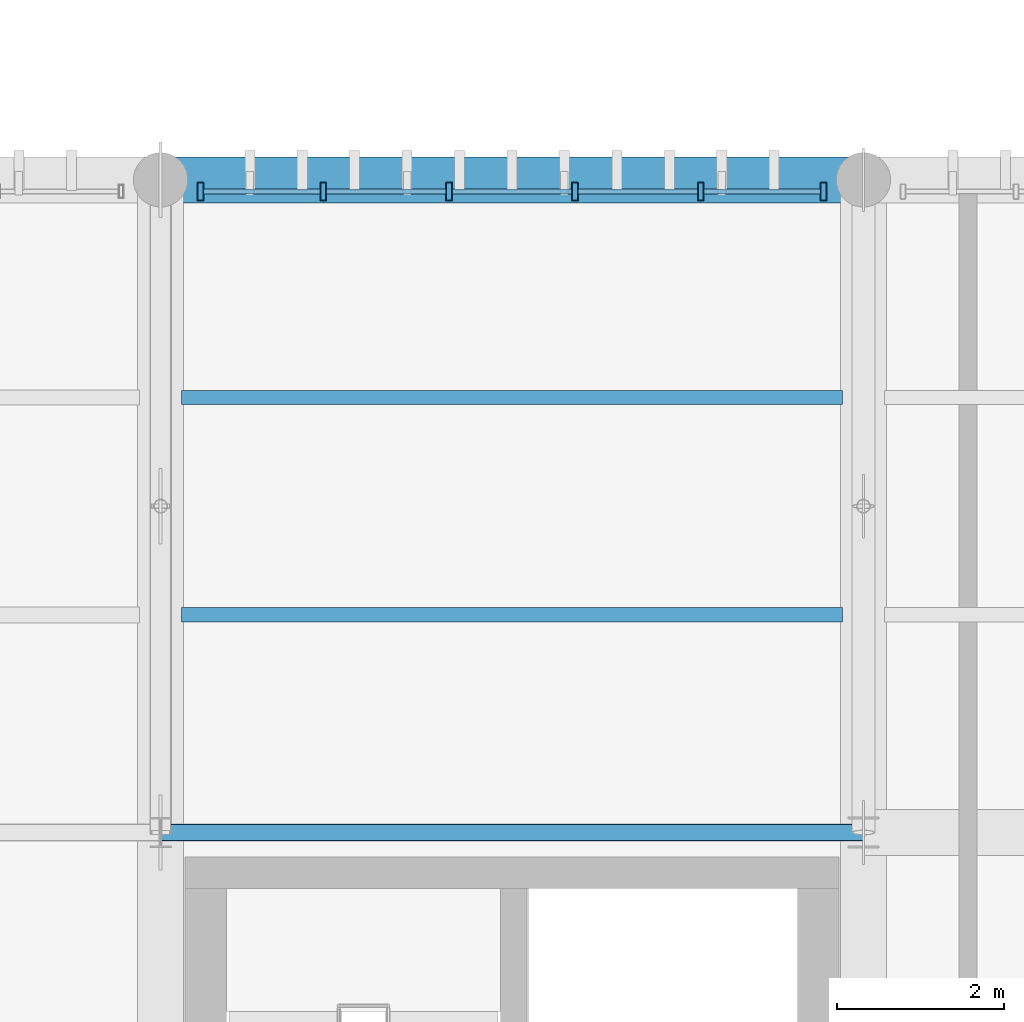
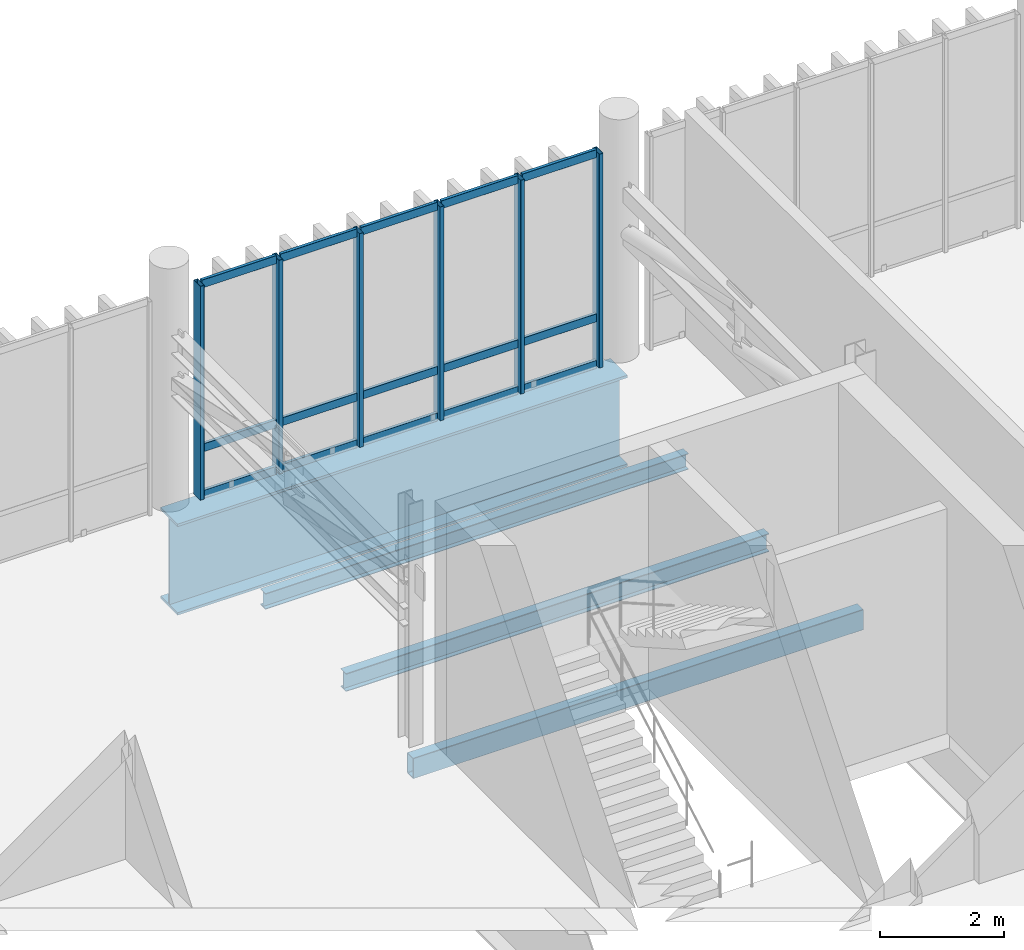
# One storey, part 18 of 81: 21 members, 4 beams, 1 element without a shape of its own.
"""IFC4 building model written with IfcOpenShell, lengths in metres."""

from ifc_helpers import new_model, si_unit, direction, frame, origin_with_axes, origin_2d_with_axis, place, context, subcontext, project, spatial, hollow_rectangle, i_section, extrude, material, material_profile, profile_set, type_object, element, aggregate, save


model = new_model("IFC4")

# Units and contexts
model_context = context("Model", 3, precision=1e-05, world=origin_with_axes(), true_north=direction((0.0, 1.0)))
body_context = subcontext(model_context, "Body", "Model", "MODEL_VIEW")
ifc_project = project(units=[si_unit("LENGTHUNIT", "METRE"), si_unit("AREAUNIT", "SQUARE_METRE"), si_unit("VOLUMEUNIT", "CUBIC_METRE"), si_unit("PLANEANGLEUNIT", "RADIAN"), si_unit("MASSUNIT", "GRAM", prefix="KILO"), si_unit("THERMODYNAMICTEMPERATUREUNIT", "KELVIN")], contexts=[model_context])

# Site, building, storey
site_placement = place(None, origin_with_axes())
site = spatial("IfcSite", under=ifc_project, at=site_placement, CompositionType="ELEMENT")
building_placement = place(site_placement, origin_with_axes())
building = spatial("IfcBuilding", under=site, at=building_placement, Name="Montbau Bow Law Courts", CompositionType="ELEMENT")
storey_placement = place(building_placement, frame((0.0, 0.0, 24.9), z_axis=(0.0, 0.0, 1.0), x_axis=(1.0, 0.0, 0.0)))
storey = spatial("IfcBuildingStorey", under=building, at=storey_placement, Name="L05", CompositionType="ELEMENT", Elevation=24.9)

# Beams
ifc_material_1 = material(Name="Steel CSA G40.21 Grade 350W (350 MPa)", Category="steel")
ifc_material_profile_1 = material_profile(ifc_material_1, i_section(OverallWidth=0.172, OverallDepth=0.358, WebThickness=0.0079, FlangeThickness=0.0131, at=origin_2d_with_axis()), Name="W360X57", Category="Main", Priority=0)
ifc_profile_set_1 = profile_set([ifc_material_profile_1], Name="Steel CSA G40.21 Grade 350W (350 MPa)")
beam_type_1 = type_object("IfcBeamType", Name="B-JST-03", PredefinedType="JOIST", material=ifc_profile_set_1)
beam_1_placement = place(None, frame((30.851, 57.2, 24.421), z_axis=(1.0, 0.0, 0.0), x_axis=(0.0, 1.0, 0.0)))
element("IfcBeam", 1, at=beam_1_placement, inside=storey, type_object=beam_type_1, Name="JST-L05-S0326:jst2_0326", PredefinedType="JOIST", context=body_context, shape_type="SweptSolid", body=[
    extrude(i_section(OverallWidth=0.172, OverallDepth=0.358, WebThickness=0.0079, FlangeThickness=0.0131, at=origin_2d_with_axis()), origin_with_axes(), (0.0, 0.0, 1.0), 7.898),
])
ifc_material_profile_2 = material_profile(ifc_material_1, i_section(OverallWidth=0.166, OverallDepth=0.313, WebThickness=0.0066, FlangeThickness=0.0112, at=origin_2d_with_axis()), Name="W310X45", Category="Main", Priority=0)
ifc_profile_set_2 = profile_set([ifc_material_profile_2], Name="Steel CSA G40.21 Grade 350W (350 MPa)")
beam_type_2 = type_object("IfcBeamType", Name="B-JST-04", PredefinedType="JOIST", material=ifc_profile_set_2)
beam_2_placement = place(None, frame((30.851, 59.8, 24.444), z_axis=(1.0, 0.0, 0.0), x_axis=(0.0, 1.0, 0.0)))
element("IfcBeam", 2, at=beam_2_placement, inside=storey, type_object=beam_type_2, Name="JST-L05-S0327:jst2_0327", PredefinedType="JOIST", context=body_context, shape_type="SweptSolid", body=[
    extrude(i_section(OverallWidth=0.166, OverallDepth=0.313, WebThickness=0.0066, FlangeThickness=0.0112, at=origin_2d_with_axis()), origin_with_axes(), (0.0, 0.0, 1.0), 7.898),
])
ifc_material_2 = material(Name="Steel CSA G40.21 Grade 350WT (350 MPa)", Category="steel")
ifc_material_profile_3 = material_profile(ifc_material_2, hollow_rectangle(XDim=0.203, YDim=0.406, WallThickness=0.0127, InnerFilletRadius=0.0254, OuterFilletRadius=0.0127, at=origin_2d_with_axis()), Name="HSS406X203X13", Category="Main", Priority=0)
ifc_profile_set_3 = profile_set([ifc_material_profile_3], Name="Steel CSA G40.21 Grade 350WT (350 MPa)")
beam_type_3 = type_object("IfcBeamType", Name="B-SPN-01", PredefinedType="SPANDREL", material=ifc_profile_set_3)
beam_3_placement = place(None, frame((30.6, 54.6, 24.397), z_axis=(1.0, 0.0, 0.0), x_axis=(0.0, 1.0, 0.0)))
element("IfcBeam", 3, at=beam_3_placement, inside=storey, type_object=beam_type_3, Name="SPN-L05-S0661:bm2_0664", PredefinedType="SPANDREL", context=body_context, shape_type="SweptSolid", body=[
    extrude(hollow_rectangle(XDim=0.203, YDim=0.406, WallThickness=0.0127, InnerFilletRadius=0.0254, OuterFilletRadius=0.0127, at=origin_2d_with_axis()), origin_with_axes(), (0.0, 0.0, 1.0), 8.4),
])
ifc_material_profile_4 = material_profile(ifc_material_2, i_section(OverallWidth=0.55, OverallDepth=1.8, WebThickness=0.022, FlangeThickness=0.05, at=origin_2d_with_axis()), Name="WWF1800X550", Category="Main", Priority=0)
ifc_profile_set_4 = profile_set([ifc_material_profile_4], Name="Steel CSA G40.21 Grade 350WT (350 MPa)")
beam_type_4 = type_object("IfcBeamType", Name="B-TRG-01", PredefinedType="USERDEFINED", material=ifc_profile_set_4)
beam_4_placement = place(None, frame((30.6, 62.4, 23.7), z_axis=(1.0, 0.0, 0.0), x_axis=(0.0, 1.0, 0.0)))
element("IfcBeam", 4, at=beam_4_placement, inside=storey, type_object=beam_type_4, Name="TRG-L05-S0049:bm2_0052", ObjectType="GIRDER", PredefinedType="USERDEFINED", context=body_context, shape_type="SweptSolid", body=[
    extrude(i_section(OverallWidth=0.55, OverallDepth=1.8, WebThickness=0.022, FlangeThickness=0.05, at=origin_2d_with_axis()), origin_with_axes(), (0.0, 0.0, 1.0), 8.4),
])

# Curtain wall, members
ifc_material_3 = material(Name="Thermally Broken Extruded Aluminium AA 6063-T6", Category="aluminium")
curtain_wall_type = type_object("IfcCurtainWallType", Name="CW-TRC-02", PredefinedType="NOTDEFINED", material=ifc_material_3)
curtain_wall_placement = place(None, frame((31.04, 62.26, 24.9), z_axis=(0.0, 0.0, 1.0), x_axis=(1.0, 0.0, 0.0)))
curtain_wall = element("IfcCurtainWall", 5, at=curtain_wall_placement, inside=storey, type_object=curtain_wall_type, Name="CW-L05-084:cw_0084", PredefinedType="NOTDEFINED")
ifc_material_profile_5 = material_profile(ifc_material_3, hollow_rectangle(XDim=0.075, YDim=0.22, WallThickness=0.005, InnerFilletRadius=0.01, OuterFilletRadius=0.005, at=origin_2d_with_axis()), Name="CWM-220X75", Category="Main", Priority=0)
ifc_profile_set_5 = profile_set([ifc_material_profile_5], Name="Thermally Broken Extruded Aluminium AA 6063-T6")
member_type_1 = type_object("IfcMemberType", Name="M-MUL-01", PredefinedType="MULLION", material=ifc_profile_set_5)
member_1_placement = place(None, frame((31.077, 62.26, 24.9), z_axis=(0.0, 0.0, 1.0), x_axis=(1.0, 0.0, 0.0)))
member_1 = element("IfcMember", 6, at=member_1_placement, type_object=member_type_1, Name="CW-L05-084-M01:cw_0084_M01", PredefinedType="MULLION", context=body_context, shape_type="SweptSolid", body=[
    extrude(hollow_rectangle(XDim=0.075, YDim=0.22, WallThickness=0.005, InnerFilletRadius=0.01, OuterFilletRadius=0.005, at=origin_2d_with_axis()), origin_with_axes(), (0.0, 0.0, 1.0), 4.22),
])
member_2_placement = place(None, frame((32.544, 62.26, 24.9), z_axis=(0.0, 0.0, 1.0), x_axis=(1.0, 0.0, 0.0)))
member_2 = element("IfcMember", 7, at=member_2_placement, type_object=member_type_1, Name="CW-L05-084-M02:cw_0084_M02", PredefinedType="MULLION", context=body_context, shape_type="SweptSolid", body=[
    extrude(hollow_rectangle(XDim=0.075, YDim=0.22, WallThickness=0.005, InnerFilletRadius=0.01, OuterFilletRadius=0.005, at=origin_2d_with_axis()), origin_with_axes(), (0.0, 0.0, 1.0), 4.22),
])
member_3_placement = place(None, frame((34.048, 62.26, 24.9), z_axis=(0.0, 0.0, 1.0), x_axis=(1.0, 0.0, 0.0)))
member_3 = element("IfcMember", 8, at=member_3_placement, type_object=member_type_1, Name="CW-L05-084-M03:cw_0084_M03", PredefinedType="MULLION", context=body_context, shape_type="SweptSolid", body=[
    extrude(hollow_rectangle(XDim=0.075, YDim=0.22, WallThickness=0.005, InnerFilletRadius=0.01, OuterFilletRadius=0.005, at=origin_2d_with_axis()), origin_with_axes(), (0.0, 0.0, 1.0), 4.22),
])
member_4_placement = place(None, frame((35.552, 62.26, 24.9), z_axis=(0.0, 0.0, 1.0), x_axis=(1.0, 0.0, 0.0)))
member_4 = element("IfcMember", 9, at=member_4_placement, type_object=member_type_1, Name="CW-L05-084-M04:cw_0084_M04", PredefinedType="MULLION", context=body_context, shape_type="SweptSolid", body=[
    extrude(hollow_rectangle(XDim=0.075, YDim=0.22, WallThickness=0.005, InnerFilletRadius=0.01, OuterFilletRadius=0.005, at=origin_2d_with_axis()), origin_with_axes(), (0.0, 0.0, 1.0), 4.22),
])
member_5_placement = place(None, frame((37.056, 62.26, 24.9), z_axis=(0.0, 0.0, 1.0), x_axis=(1.0, 0.0, 0.0)))
member_5 = element("IfcMember", 10, at=member_5_placement, type_object=member_type_1, Name="CW-L05-084-M05:cw_0084_M05", PredefinedType="MULLION", context=body_context, shape_type="SweptSolid", body=[
    extrude(hollow_rectangle(XDim=0.075, YDim=0.22, WallThickness=0.005, InnerFilletRadius=0.01, OuterFilletRadius=0.005, at=origin_2d_with_axis()), origin_with_axes(), (0.0, 0.0, 1.0), 4.22),
])
member_6_placement = place(None, frame((38.523, 62.26, 24.9), z_axis=(0.0, 0.0, 1.0), x_axis=(1.0, 0.0, 0.0)))
member_6 = element("IfcMember", 11, at=member_6_placement, type_object=member_type_1, Name="CW-L05-084-M06:cw_0084_M06", PredefinedType="MULLION", context=body_context, shape_type="SweptSolid", body=[
    extrude(hollow_rectangle(XDim=0.075, YDim=0.22, WallThickness=0.005, InnerFilletRadius=0.01, OuterFilletRadius=0.005, at=origin_2d_with_axis()), origin_with_axes(), (0.0, 0.0, 1.0), 4.22),
])
ifc_material_profile_6 = material_profile(ifc_material_3, hollow_rectangle(XDim=0.06, YDim=0.16, WallThickness=0.004, InnerFilletRadius=0.008, OuterFilletRadius=0.004, at=origin_2d_with_axis()), Name="CWT-160X60", Category="Main", Priority=0)
ifc_profile_set_6 = profile_set([ifc_material_profile_6], Name="Thermally Broken Extruded Aluminium AA 6063-T6")
member_type_2 = type_object("IfcMemberType", Name="M-TRN-01", PredefinedType="USERDEFINED", material=ifc_profile_set_6)
member_7_placement = place(None, frame((31.116, 62.26, 24.93), z_axis=(1.0, 0.0, 0.0), x_axis=(0.0, 1.0, 0.0)))
member_7 = element("IfcMember", 12, at=member_7_placement, type_object=member_type_2, Name="CW-L05-084-T01-1:cw_0084_T01_1", ObjectType="TRANSOM", PredefinedType="USERDEFINED", context=body_context, shape_type="SweptSolid", body=[
    extrude(hollow_rectangle(XDim=0.06, YDim=0.16, WallThickness=0.004, InnerFilletRadius=0.008, OuterFilletRadius=0.004, at=origin_2d_with_axis()), origin_with_axes(), (0.0, 0.0, 1.0), 1.388),
])
member_8_placement = place(None, frame((31.116, 62.26, 25.85), z_axis=(1.0, 0.0, 0.0), x_axis=(0.0, 1.0, 0.0)))
member_8 = element("IfcMember", 13, at=member_8_placement, type_object=member_type_2, Name="CW-L05-084-T01-2:cw_0084_T01_2", ObjectType="TRANSOM", PredefinedType="USERDEFINED", context=body_context, shape_type="SweptSolid", body=[
    extrude(hollow_rectangle(XDim=0.06, YDim=0.16, WallThickness=0.004, InnerFilletRadius=0.008, OuterFilletRadius=0.004, at=origin_2d_with_axis()), origin_with_axes(), (0.0, 0.0, 1.0), 1.388),
])
member_9_placement = place(None, frame((31.116, 62.26, 29.09), z_axis=(1.0, 0.0, 0.0), x_axis=(0.0, 1.0, 0.0)))
member_9 = element("IfcMember", 14, at=member_9_placement, type_object=member_type_2, Name="CW-L05-084-T01-3:cw_0084_T01_3", ObjectType="TRANSOM", PredefinedType="USERDEFINED", context=body_context, shape_type="SweptSolid", body=[
    extrude(hollow_rectangle(XDim=0.06, YDim=0.16, WallThickness=0.004, InnerFilletRadius=0.008, OuterFilletRadius=0.004, at=origin_2d_with_axis()), origin_with_axes(), (0.0, 0.0, 1.0), 1.388),
])
member_10_placement = place(None, frame((32.584, 62.26, 24.93), z_axis=(1.0, 0.0, 0.0), x_axis=(0.0, 1.0, 0.0)))
member_10 = element("IfcMember", 15, at=member_10_placement, type_object=member_type_2, Name="CW-L05-084-T02-1:cw_0084_T02_1", ObjectType="TRANSOM", PredefinedType="USERDEFINED", context=body_context, shape_type="SweptSolid", body=[
    extrude(hollow_rectangle(XDim=0.06, YDim=0.16, WallThickness=0.004, InnerFilletRadius=0.008, OuterFilletRadius=0.004, at=origin_2d_with_axis()), origin_with_axes(), (0.0, 0.0, 1.0), 1.425),
])
member_11_placement = place(None, frame((32.584, 62.26, 25.85), z_axis=(1.0, 0.0, 0.0), x_axis=(0.0, 1.0, 0.0)))
member_11 = element("IfcMember", 16, at=member_11_placement, type_object=member_type_2, Name="CW-L05-084-T02-2:cw_0084_T02_2", ObjectType="TRANSOM", PredefinedType="USERDEFINED", context=body_context, shape_type="SweptSolid", body=[
    extrude(hollow_rectangle(XDim=0.06, YDim=0.16, WallThickness=0.004, InnerFilletRadius=0.008, OuterFilletRadius=0.004, at=origin_2d_with_axis()), origin_with_axes(), (0.0, 0.0, 1.0), 1.425),
])
member_12_placement = place(None, frame((32.584, 62.26, 29.09), z_axis=(1.0, 0.0, 0.0), x_axis=(0.0, 1.0, 0.0)))
member_12 = element("IfcMember", 17, at=member_12_placement, type_object=member_type_2, Name="CW-L05-084-T02-3:cw_0084_T02_3", ObjectType="TRANSOM", PredefinedType="USERDEFINED", context=body_context, shape_type="SweptSolid", body=[
    extrude(hollow_rectangle(XDim=0.06, YDim=0.16, WallThickness=0.004, InnerFilletRadius=0.008, OuterFilletRadius=0.004, at=origin_2d_with_axis()), origin_with_axes(), (0.0, 0.0, 1.0), 1.425),
])
member_13_placement = place(None, frame((34.087, 62.26, 24.93), z_axis=(1.0, 0.0, 0.0), x_axis=(0.0, 1.0, 0.0)))
member_13 = element("IfcMember", 18, at=member_13_placement, type_object=member_type_2, Name="CW-L05-084-T03-1:cw_0084_T03_1", ObjectType="TRANSOM", PredefinedType="USERDEFINED", context=body_context, shape_type="SweptSolid", body=[
    extrude(hollow_rectangle(XDim=0.06, YDim=0.16, WallThickness=0.004, InnerFilletRadius=0.008, OuterFilletRadius=0.004, at=origin_2d_with_axis()), origin_with_axes(), (0.0, 0.0, 1.0), 1.426),
])
member_14_placement = place(None, frame((34.087, 62.26, 25.85), z_axis=(1.0, 0.0, 0.0), x_axis=(0.0, 1.0, 0.0)))
member_14 = element("IfcMember", 19, at=member_14_placement, type_object=member_type_2, Name="CW-L05-084-T03-2:cw_0084_T03_2", ObjectType="TRANSOM", PredefinedType="USERDEFINED", context=body_context, shape_type="SweptSolid", body=[
    extrude(hollow_rectangle(XDim=0.06, YDim=0.16, WallThickness=0.004, InnerFilletRadius=0.008, OuterFilletRadius=0.004, at=origin_2d_with_axis()), origin_with_axes(), (0.0, 0.0, 1.0), 1.426),
])
member_15_placement = place(None, frame((34.087, 62.26, 29.09), z_axis=(1.0, 0.0, 0.0), x_axis=(0.0, 1.0, 0.0)))
member_15 = element("IfcMember", 20, at=member_15_placement, type_object=member_type_2, Name="CW-L05-084-T03-3:cw_0084_T03_3", ObjectType="TRANSOM", PredefinedType="USERDEFINED", context=body_context, shape_type="SweptSolid", body=[
    extrude(hollow_rectangle(XDim=0.06, YDim=0.16, WallThickness=0.004, InnerFilletRadius=0.008, OuterFilletRadius=0.004, at=origin_2d_with_axis()), origin_with_axes(), (0.0, 0.0, 1.0), 1.426),
])
member_16_placement = place(None, frame((35.591, 62.26, 24.93), z_axis=(1.0, 0.0, 0.0), x_axis=(0.0, 1.0, 0.0)))
member_16 = element("IfcMember", 21, at=member_16_placement, type_object=member_type_2, Name="CW-L05-084-T04-1:cw_0084_T04_1", ObjectType="TRANSOM", PredefinedType="USERDEFINED", context=body_context, shape_type="SweptSolid", body=[
    extrude(hollow_rectangle(XDim=0.06, YDim=0.16, WallThickness=0.004, InnerFilletRadius=0.008, OuterFilletRadius=0.004, at=origin_2d_with_axis()), origin_with_axes(), (0.0, 0.0, 1.0), 1.426),
])
member_17_placement = place(None, frame((35.591, 62.26, 25.85), z_axis=(1.0, 0.0, 0.0), x_axis=(0.0, 1.0, 0.0)))
member_17 = element("IfcMember", 22, at=member_17_placement, type_object=member_type_2, Name="CW-L05-084-T04-2:cw_0084_T04_2", ObjectType="TRANSOM", PredefinedType="USERDEFINED", context=body_context, shape_type="SweptSolid", body=[
    extrude(hollow_rectangle(XDim=0.06, YDim=0.16, WallThickness=0.004, InnerFilletRadius=0.008, OuterFilletRadius=0.004, at=origin_2d_with_axis()), origin_with_axes(), (0.0, 0.0, 1.0), 1.426),
])
member_18_placement = place(None, frame((35.591, 62.26, 29.09), z_axis=(1.0, 0.0, 0.0), x_axis=(0.0, 1.0, 0.0)))
member_18 = element("IfcMember", 23, at=member_18_placement, type_object=member_type_2, Name="CW-L05-084-T04-3:cw_0084_T04_3", ObjectType="TRANSOM", PredefinedType="USERDEFINED", context=body_context, shape_type="SweptSolid", body=[
    extrude(hollow_rectangle(XDim=0.06, YDim=0.16, WallThickness=0.004, InnerFilletRadius=0.008, OuterFilletRadius=0.004, at=origin_2d_with_axis()), origin_with_axes(), (0.0, 0.0, 1.0), 1.426),
])
member_19_placement = place(None, frame((37.095, 62.26, 24.93), z_axis=(1.0, 0.0, 0.0), x_axis=(0.0, 1.0, 0.0)))
member_19 = element("IfcMember", 24, at=member_19_placement, type_object=member_type_2, Name="CW-L05-084-T05-1:cw_0084_T05_1", ObjectType="TRANSOM", PredefinedType="USERDEFINED", context=body_context, shape_type="SweptSolid", body=[
    extrude(hollow_rectangle(XDim=0.06, YDim=0.16, WallThickness=0.004, InnerFilletRadius=0.008, OuterFilletRadius=0.004, at=origin_2d_with_axis()), origin_with_axes(), (0.0, 0.0, 1.0), 1.389),
])
member_20_placement = place(None, frame((37.095, 62.26, 25.85), z_axis=(1.0, 0.0, 0.0), x_axis=(0.0, 1.0, 0.0)))
member_20 = element("IfcMember", 25, at=member_20_placement, type_object=member_type_2, Name="CW-L05-084-T05-2:cw_0084_T05_2", ObjectType="TRANSOM", PredefinedType="USERDEFINED", context=body_context, shape_type="SweptSolid", body=[
    extrude(hollow_rectangle(XDim=0.06, YDim=0.16, WallThickness=0.004, InnerFilletRadius=0.008, OuterFilletRadius=0.004, at=origin_2d_with_axis()), origin_with_axes(), (0.0, 0.0, 1.0), 1.389),
])
member_21_placement = place(None, frame((37.095, 62.26, 29.09), z_axis=(1.0, 0.0, 0.0), x_axis=(0.0, 1.0, 0.0)))
member_21 = element("IfcMember", 26, at=member_21_placement, type_object=member_type_2, Name="CW-L05-084-T05-3:cw_0084_T05_3", ObjectType="TRANSOM", PredefinedType="USERDEFINED", context=body_context, shape_type="SweptSolid", body=[
    extrude(hollow_rectangle(XDim=0.06, YDim=0.16, WallThickness=0.004, InnerFilletRadius=0.008, OuterFilletRadius=0.004, at=origin_2d_with_axis()), origin_with_axes(), (0.0, 0.0, 1.0), 1.389),
])
aggregate(curtain_wall, [member_1, member_2, member_3, member_4, member_5, member_6, member_7, member_8, member_9, member_10, member_11, member_12, member_13, member_14, member_15, member_16, member_17, member_18, member_19, member_20, member_21])

save(model, "model.ifc")
